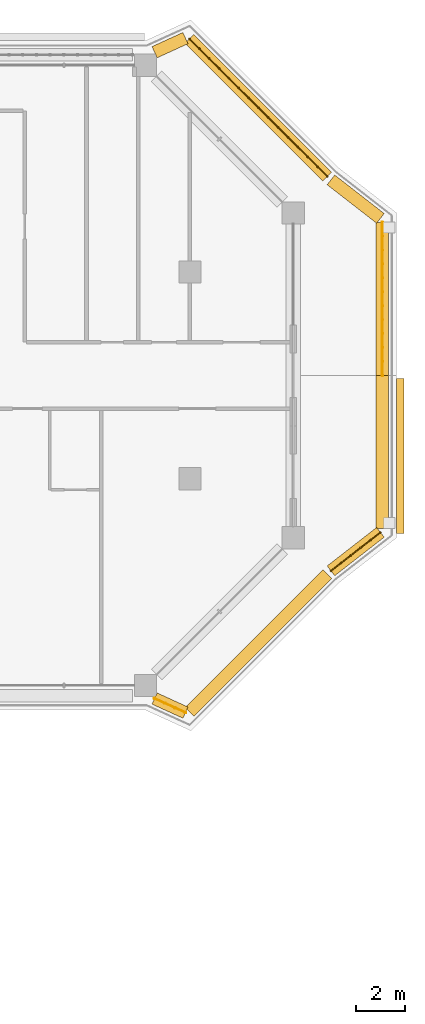
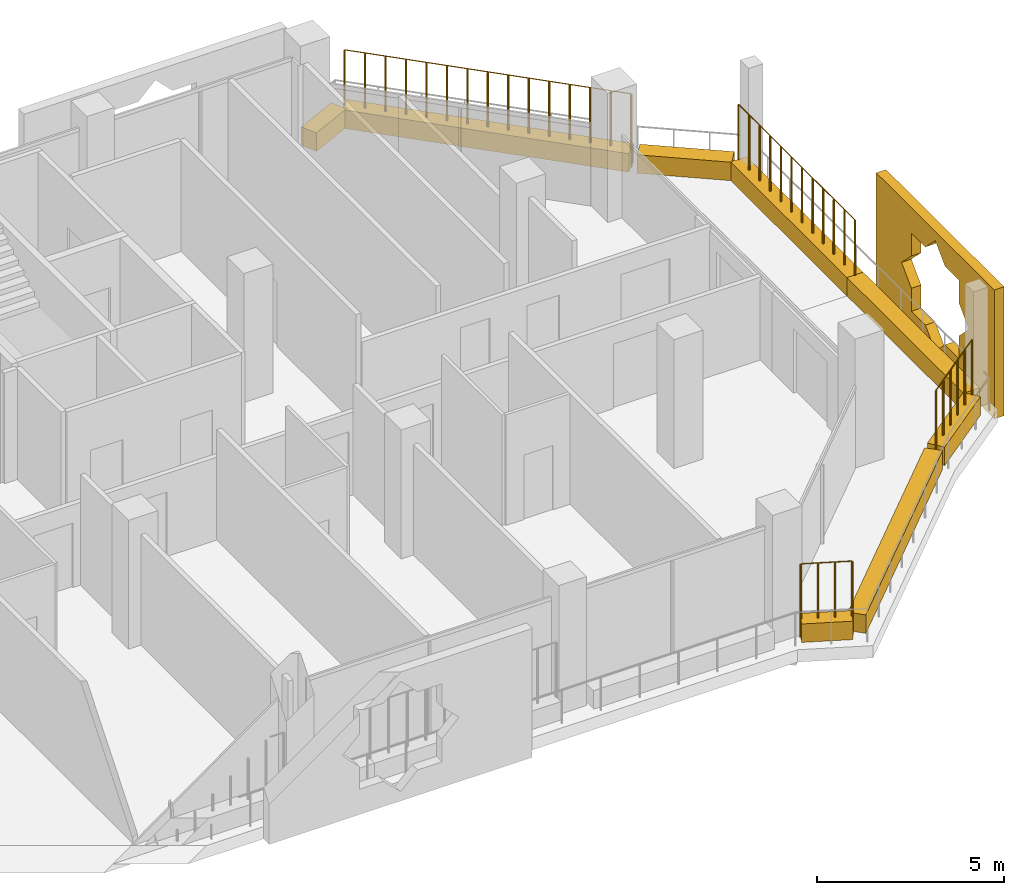
# One storey, part 21 of 21: 9 coverings, 4 railings.
"""IFC4 building model written with IfcOpenShell, lengths in metres."""

from ifc_helpers import new_model, si_unit, direction, frame, origin, origin_2d, place, context, subcontext, project, spatial, polyline, rectangle, circle, outline, extrude, material, material_profile, profile_set, type_object, element, save


model = new_model("IFC4")

# Units and contexts
model_context = context("Model", 3, precision=1e-05, world=origin(), true_north=direction((0.0, 1.0)))
body_context = subcontext(model_context, "Body", "Model", "MODEL_VIEW")
ifc_project = project(units=[si_unit("LENGTHUNIT", "METRE"), si_unit("AREAUNIT", "SQUARE_METRE"), si_unit("VOLUMEUNIT", "CUBIC_METRE"), si_unit("PLANEANGLEUNIT", "RADIAN"), si_unit("MASSUNIT", "GRAM", prefix="KILO")], contexts=[model_context])

# Site, building, storey
site_placement = place(None, origin())
site = spatial("IfcSite", under=ifc_project, at=site_placement, CompositionType="ELEMENT")
building_placement = place(site_placement, origin())
building = spatial("IfcBuilding", under=site, at=building_placement, Name="Kawkab Arch Medical Tower", CompositionType="ELEMENT")
storey_placement = place(building_placement, frame((0.0, 0.0, 264.199951171875)))
storey = spatial("IfcBuildingStorey", under=building, at=storey_placement, Name="L61", CompositionType="ELEMENT", Elevation=264.199951171875)

# Coverings
ifc_material_1 = material(Name="Bronze anodised aluminium mashrabiya panel, eight-point star pattern", Category="aluminium")
ifc_material_profile_1 = material_profile(ifc_material_1, outline(polyline([(-3.14990234375, -2.10009765625), (3.14990234375, -2.10009765625), (3.14990234375, 2.10009765625), (-3.14990234375, 2.10009765625), (-3.14990234375, -2.10009765625)]), holes=[polyline([(1.800048828125, 0.0), (1.272705078125, 0.527099609375), (1.272705078125, 1.272705078125), (0.527099609375, 1.272705078125), (0.0, 1.800048828125), (-0.527099609375, 1.272705078125), (-1.272705078125, 1.272705078125), (-1.272705078125, 0.527099609375), (-1.800048828125, 0.0), (-1.272705078125, -0.527099609375), (-1.272705078125, -1.272705078125), (-0.527099609375, -1.272705078125), (0.0, -1.800048828125), (0.527099609375, -1.272705078125), (1.272705078125, -1.272705078125), (1.272705078125, -0.527099609375), (1.800048828125, 0.0)])]), Name="Mashrabiya panel 6300x4200")
ifc_profile_set_1 = profile_set([ifc_material_profile_1], Name="Bronze anodised aluminium mashrabiya panel, eight-point star pattern")
covering_type_1 = type_object("IfcCoveringType", Name="Mashrabiya panel 6300 x 4200", PredefinedType="USERDEFINED", material=ifc_profile_set_1)
covering_1_placement = place(storey_placement, frame((67.199951171875, -15.877685546875, 1.699951171875), z_axis=(1.0, 0.0, 0.0), x_axis=(0.0, 1.0, 0.0)))
element("IfcCovering", 1, at=covering_1_placement, inside=storey, type_object=covering_type_1, Name="Mashrabiya panel L61.LOG-01-01.9", ObjectType="SCREEN", PredefinedType="USERDEFINED", context=body_context, shape_type="SweptSolid", body=[
    extrude(outline(polyline([(-3.14990234375, -2.10009765625), (3.14990234375, -2.10009765625), (3.14990234375, 2.10009765625), (-3.14990234375, 2.10009765625), (-3.14990234375, -2.10009765625)]), holes=[polyline([(1.800048828125, 0.0), (1.272705078125, 0.527099609375), (1.272705078125, 1.272705078125), (0.527099609375, 1.272705078125), (0.0, 1.800048828125), (-0.527099609375, 1.272705078125), (-1.272705078125, 1.272705078125), (-1.272705078125, 0.527099609375), (-1.800048828125, 0.0), (-1.272705078125, -0.527099609375), (-1.272705078125, -1.272705078125), (-0.527099609375, -1.272705078125), (0.0, -1.800048828125), (0.527099609375, -1.272705078125), (1.272705078125, -1.272705078125), (1.272705078125, -0.527099609375), (1.800048828125, 0.0)])]), origin(), (0.0, 0.0, 1.0), 0.300048828125),
])
ifc_material_2 = material(Name="Planting soil in a precast trough", Category="concrete")
ifc_material_profile_2 = material_profile(ifc_material_2, rectangle(XDim=0.5, YDim=0.60009765625, at=origin_2d()), Name="Trough 500x600")
ifc_profile_set_2 = profile_set([ifc_material_profile_2], Name="Planting soil in a precast trough")
covering_type_2 = type_object("IfcCoveringType", Name="Planter trough 500 x 600", PredefinedType="USERDEFINED", material=ifc_profile_set_2)
covering_2_placement = place(storey_placement, frame((57.366943359375, 0.530029296875, 0.300048828125), z_axis=(0.909831953447, 0.41497688669, 0.0), x_axis=(-0.41497688669, 0.909831953447, 0.0)))
element("IfcCovering", 2, at=covering_2_placement, inside=storey, type_object=covering_type_2, Name="Planter L61.LOG-01-01.24", ObjectType="PLANTER", PredefinedType="USERDEFINED", context=body_context, shape_type="SweptSolid", body=[
    extrude(rectangle(XDim=0.5, YDim=0.60009765625, at=origin_2d()), origin(), (0.0, 0.0, 1.0), 1.37841796875),
])
covering_3_placement = place(storey_placement, frame((58.782958984375, 1.072998046875, 0.300048828125), z_axis=(0.707106781187, -0.707106781187, 0.0), x_axis=(0.707106781187, 0.707106781187, 0.0)))
element("IfcCovering", 3, at=covering_3_placement, inside=storey, type_object=covering_type_2, Name="Planter L61.LOG-01-01.25", ObjectType="PLANTER", PredefinedType="USERDEFINED", context=body_context, shape_type="SweptSolid", body=[
    extrude(rectangle(XDim=0.5, YDim=0.60009765625, at=origin_2d()), origin(), (0.0, 0.0, 1.0), 7.919677734375),
])
covering_4_placement = place(storey_placement, frame((64.531982421875, -4.658935546875, 0.300048828125), z_axis=(0.789274742246, -0.61404021143, 0.0), x_axis=(0.61404021143, 0.789274742246, 0.0)))
element("IfcCovering", 4, at=covering_4_placement, inside=storey, type_object=covering_type_2, Name="Planter L61.LOG-01-01.26", ObjectType="PLANTER", PredefinedType="USERDEFINED", context=body_context, shape_type="SweptSolid", body=[
    extrude(rectangle(XDim=0.5, YDim=0.60009765625, at=origin_2d()), origin(), (0.0, 0.0, 1.0), 2.54541015625),
])
covering_5_placement = place(storey_placement, frame((66.6201171875, -6.384033203125, 0.300048828125), z_axis=(0.0, -1.0, 0.0), x_axis=(1.0, 0.0, 0.0)))
element("IfcCovering", 5, at=covering_5_placement, inside=storey, type_object=covering_type_2, Name="Planter L61.LOG-01-01.27", ObjectType="PLANTER", PredefinedType="USERDEFINED", context=body_context, shape_type="SweptSolid", body=[
    extrude(rectangle(XDim=0.5, YDim=0.60009765625, at=origin_2d()), origin(), (0.0, 0.0, 1.0), 6.216064453125),
])
covering_6_placement = place(storey_placement, frame((66.6201171875, -12.60009765625, 0.300048828125), z_axis=(0.0, -1.0, 0.0), x_axis=(1.0, 0.0, 0.0)))
element("IfcCovering", 6, at=covering_6_placement, inside=storey, type_object=covering_type_2, Name="Planter L61.LOG-01-01.28", ObjectType="PLANTER", PredefinedType="USERDEFINED", context=body_context, shape_type="SweptSolid", body=[
    extrude(rectangle(XDim=0.5, YDim=0.60009765625, at=origin_2d()), origin(), (0.0, 0.0, 1.0), 6.2158203125),
])
covering_7_placement = place(storey_placement, frame((66.541015625, -18.97802734375, 0.300048828125), z_axis=(-0.789274742246, -0.61404021143, 0.0), x_axis=(0.61404021143, -0.789274742246, 0.0)))
element("IfcCovering", 7, at=covering_7_placement, inside=storey, type_object=covering_type_2, Name="Planter L61.LOG-01-01.29", ObjectType="PLANTER", PredefinedType="USERDEFINED", context=body_context, shape_type="SweptSolid", body=[
    extrude(rectangle(XDim=0.5, YDim=0.60009765625, at=origin_2d()), origin(), (0.0, 0.0, 1.0), 2.54541015625),
])
covering_8_placement = place(storey_placement, frame((64.383056640625, -20.673095703125, 0.300048828125), z_axis=(-0.70712219479, -0.707091367247, 0.0), x_axis=(0.707091367247, -0.70712219479, 0.0)))
element("IfcCovering", 8, at=covering_8_placement, inside=storey, type_object=covering_type_2, Name="Planter L61.LOG-01-01.30", ObjectType="PLANTER", PredefinedType="USERDEFINED", context=body_context, shape_type="SweptSolid", body=[
    extrude(rectangle(XDim=0.5, YDim=0.60009765625, at=origin_2d()), origin(), (0.0, 0.0, 1.0), 7.919677734375),
])
covering_9_placement = place(storey_placement, frame((58.62109375, -26.302001953125, 0.300048828125), z_axis=(-0.909831953447, 0.41497688669, 0.0), x_axis=(-0.41497688669, -0.909831953447, 0.0)))
element("IfcCovering", 9, at=covering_9_placement, inside=storey, type_object=covering_type_2, Name="Planter L61.LOG-01-01.31", ObjectType="PLANTER", PredefinedType="USERDEFINED", context=body_context, shape_type="SweptSolid", body=[
    extrude(rectangle(XDim=0.5, YDim=0.60009765625, at=origin_2d()), origin(), (0.0, 0.0, 1.0), 1.37841796875),
])

# Railings
ifc_material_3 = material(Name="Bronze anodised aluminium trellis for climbing plants", Category="aluminium")
railing_type = type_object("IfcRailingType", Name="Planting trellis 2400", PredefinedType="USERDEFINED", material=ifc_material_3)
railing_1_placement = place(storey_placement, frame((58.782958984375, 1.072998046875, 0.0)))
element("IfcRailing", 10, at=railing_1_placement, inside=storey, type_object=railing_type, Name="Planting trellis L61.LOG-01-01.25", ObjectType="TRELLIS", PredefinedType="USERDEFINED", context=body_context, shape_type="SweptSolid", body=[
    extrude(circle(Radius=0.01513671875, at=origin_2d()), frame((0.0, 0.0, 2.384765625), z_axis=(0.707106781187, -0.707106781187, 0.0), x_axis=(0.707106781187, 0.707106781187, 0.0)), (0.0, 0.0, 1.0), 7.919677734375),
    extrude(circle(Radius=0.030029296875, at=origin_2d()), origin(), (0.0, 0.0, 1.0), 2.369873046875),
    extrude(circle(Radius=0.030029296875, at=origin_2d()), frame((0.39990234375, -0.39990234375, 0.0)), (0.0, 0.0, 1.0), 2.369873046875),
    extrude(circle(Radius=0.030029296875, at=origin_2d()), frame((0.800048828125, -0.800048828125, 0.0)), (0.0, 0.0, 1.0), 2.369873046875),
    extrude(circle(Radius=0.030029296875, at=origin_2d()), frame((1.199951171875, -1.199951171875, 0.0)), (0.0, 0.0, 1.0), 2.369873046875),
    extrude(circle(Radius=0.030029296875, at=origin_2d()), frame((1.60009765625, -1.60009765625, 0.0)), (0.0, 0.0, 1.0), 2.369873046875),
    extrude(circle(Radius=0.030029296875, at=origin_2d()), frame((2.0, -2.0, 0.0)), (0.0, 0.0, 1.0), 2.369873046875),
    extrude(circle(Radius=0.030029296875, at=origin_2d()), frame((2.400146484375, -2.400146484375, 0.0)), (0.0, 0.0, 1.0), 2.369873046875),
    extrude(circle(Radius=0.030029296875, at=origin_2d()), frame((2.800048828125, -2.800048828125, 0.0)), (0.0, 0.0, 1.0), 2.369873046875),
    extrude(circle(Radius=0.030029296875, at=origin_2d()), frame((3.199951171875, -3.199951171875, 0.0)), (0.0, 0.0, 1.0), 2.369873046875),
    extrude(circle(Radius=0.030029296875, at=origin_2d()), frame((3.60009765625, -3.60009765625, 0.0)), (0.0, 0.0, 1.0), 2.369873046875),
    extrude(circle(Radius=0.030029296875, at=origin_2d()), frame((4.0, -4.0, 0.0)), (0.0, 0.0, 1.0), 2.369873046875),
    extrude(circle(Radius=0.030029296875, at=origin_2d()), frame((4.400146484375, -4.400146484375, 0.0)), (0.0, 0.0, 1.0), 2.369873046875),
    extrude(circle(Radius=0.030029296875, at=origin_2d()), frame((4.800048828125, -4.800048828125, 0.0)), (0.0, 0.0, 1.0), 2.369873046875),
    extrude(circle(Radius=0.030029296875, at=origin_2d()), frame((5.2001953125, -5.2001953125, 0.0)), (0.0, 0.0, 1.0), 2.369873046875),
    extrude(circle(Radius=0.030029296875, at=origin_2d()), frame((5.60009765625, -5.60009765625, 0.0)), (0.0, 0.0, 1.0), 2.369873046875),
])
railing_2_placement = place(storey_placement, frame((66.6201171875, -6.384033203125, 0.0)))
element("IfcRailing", 11, at=railing_2_placement, inside=storey, type_object=railing_type, Name="Planting trellis L61.LOG-01-01.27", ObjectType="TRELLIS", PredefinedType="USERDEFINED", context=body_context, shape_type="SweptSolid", body=[
    extrude(circle(Radius=0.01513671875, at=origin_2d()), frame((0.0, 0.0, 2.384765625), z_axis=(0.0, -1.0, 0.0), x_axis=(1.0, 0.0, 0.0)), (0.0, 0.0, 1.0), 6.216064453125),
    extrude(circle(Radius=0.030029296875, at=origin_2d()), origin(), (0.0, 0.0, 1.0), 2.369873046875),
    extrude(circle(Radius=0.030029296875, at=origin_2d()), frame((0.0, -0.565185546875, 0.0)), (0.0, 0.0, 1.0), 2.369873046875),
    extrude(circle(Radius=0.030029296875, at=origin_2d()), frame((0.0, -1.130126953125, 0.0)), (0.0, 0.0, 1.0), 2.369873046875),
    extrude(circle(Radius=0.030029296875, at=origin_2d()), frame((0.0, -1.6953125, 0.0)), (0.0, 0.0, 1.0), 2.369873046875),
    extrude(circle(Radius=0.030029296875, at=origin_2d()), frame((0.0, -2.260498046875, 0.0)), (0.0, 0.0, 1.0), 2.369873046875),
    extrude(circle(Radius=0.030029296875, at=origin_2d()), frame((0.0, -2.825439453125, 0.0)), (0.0, 0.0, 1.0), 2.369873046875),
    extrude(circle(Radius=0.030029296875, at=origin_2d()), frame((0.0, -3.390625, 0.0)), (0.0, 0.0, 1.0), 2.369873046875),
    extrude(circle(Radius=0.030029296875, at=origin_2d()), frame((0.0, -3.95556640625, 0.0)), (0.0, 0.0, 1.0), 2.369873046875),
    extrude(circle(Radius=0.030029296875, at=origin_2d()), frame((0.0, -4.520751953125, 0.0)), (0.0, 0.0, 1.0), 2.369873046875),
    extrude(circle(Radius=0.030029296875, at=origin_2d()), frame((0.0, -5.0859375, 0.0)), (0.0, 0.0, 1.0), 2.369873046875),
    extrude(circle(Radius=0.030029296875, at=origin_2d()), frame((0.0, -5.65087890625, 0.0)), (0.0, 0.0, 1.0), 2.369873046875),
    extrude(circle(Radius=0.030029296875, at=origin_2d()), frame((0.0, -6.216064453125, 0.0)), (0.0, 0.0, 1.0), 2.369873046875),
])
railing_3_placement = place(storey_placement, frame((66.541015625, -18.97802734375, 0.0)))
element("IfcRailing", 12, at=railing_3_placement, inside=storey, type_object=railing_type, Name="Planting trellis L61.LOG-01-01.29", ObjectType="TRELLIS", PredefinedType="USERDEFINED", context=body_context, shape_type="SweptSolid", body=[
    extrude(circle(Radius=0.01513671875, at=origin_2d()), frame((0.0, 0.0, 2.384765625), z_axis=(-0.789274742246, -0.61404021143, 0.0), x_axis=(0.61404021143, -0.789274742246, 0.0)), (0.0, 0.0, 1.0), 2.54541015625),
    extrude(circle(Radius=0.030029296875, at=origin_2d()), origin(), (0.0, 0.0, 1.0), 2.369873046875),
    extrude(circle(Radius=0.030029296875, at=origin_2d()), frame((-0.40185546875, -0.3125, 0.0)), (0.0, 0.0, 1.0), 2.369873046875),
    extrude(circle(Radius=0.030029296875, at=origin_2d()), frame((-0.8037109375, -0.625244140625, 0.0)), (0.0, 0.0, 1.0), 2.369873046875),
    extrude(circle(Radius=0.030029296875, at=origin_2d()), frame((-1.205322265625, -0.937744140625, 0.0)), (0.0, 0.0, 1.0), 2.369873046875),
    extrude(circle(Radius=0.030029296875, at=origin_2d()), frame((-1.607177734375, -1.25048828125, 0.0)), (0.0, 0.0, 1.0), 2.369873046875),
    extrude(circle(Radius=0.030029296875, at=origin_2d()), frame((-2.009033203125, -1.56298828125, 0.0)), (0.0, 0.0, 1.0), 2.369873046875),
])
railing_4_placement = place(storey_placement, frame((58.62109375, -26.302001953125, 0.0)))
element("IfcRailing", 13, at=railing_4_placement, inside=storey, type_object=railing_type, Name="Planting trellis L61.LOG-01-01.31", ObjectType="TRELLIS", PredefinedType="USERDEFINED", context=body_context, shape_type="SweptSolid", body=[
    extrude(circle(Radius=0.01513671875, at=origin_2d()), frame((0.0, 0.0, 2.384765625), z_axis=(-0.909831953447, 0.41497688669, 0.0), x_axis=(-0.41497688669, -0.909831953447, 0.0)), (0.0, 0.0, 1.0), 1.37841796875),
    extrude(circle(Radius=0.030029296875, at=origin_2d()), origin(), (0.0, 0.0, 1.0), 2.369873046875),
    extrude(circle(Radius=0.030029296875, at=origin_2d()), frame((-0.41796875, 0.190673828125, 0.0)), (0.0, 0.0, 1.0), 2.369873046875),
    extrude(circle(Radius=0.030029296875, at=origin_2d()), frame((-0.836181640625, 0.38134765625, 0.0)), (0.0, 0.0, 1.0), 2.369873046875),
    extrude(circle(Radius=0.030029296875, at=origin_2d()), frame((-1.254150390625, 0.572021484375, 0.0)), (0.0, 0.0, 1.0), 2.369873046875),
])

save(model, "model.ifc")
